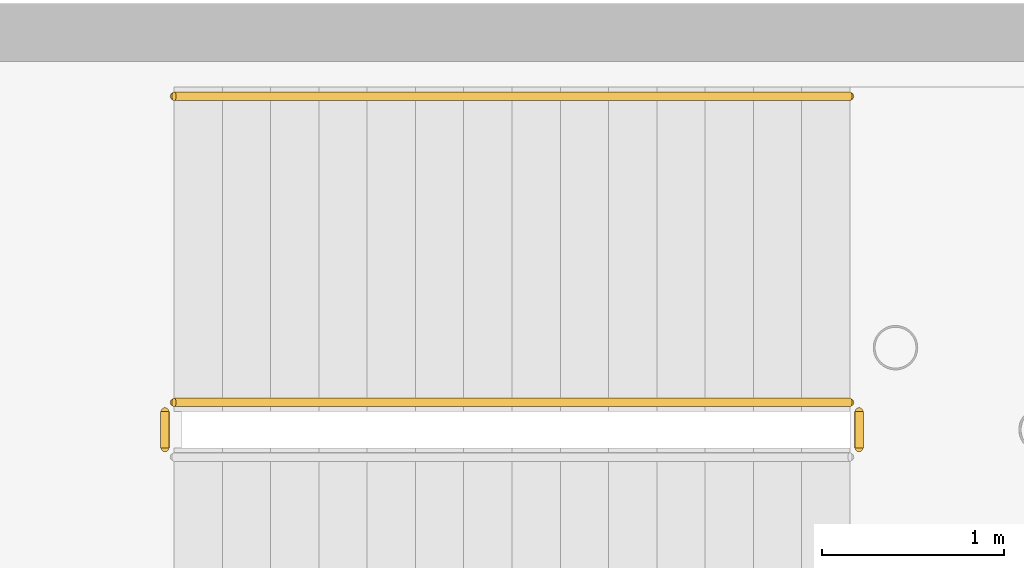
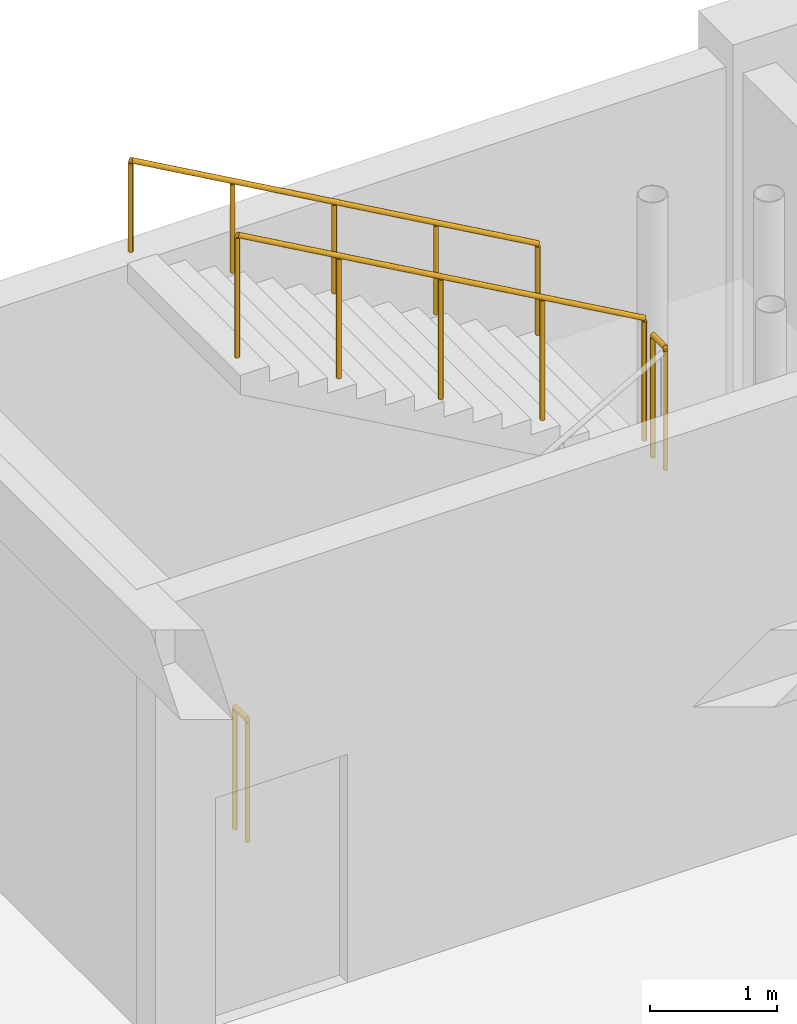
# One storey, part 153 of 160: 4 railings.
"""IFC4 building model written with IfcOpenShell, lengths in metres."""

from ifc_helpers import new_model, si_unit, direction, frame, origin, origin_2d, place, context, subcontext, project, spatial, circle, extrude, material, type_object, element, save


model = new_model("IFC4")

# Units and contexts
model_context = context("Model", 3, precision=1e-05, world=origin(), true_north=direction((0.0, 1.0)))
body_context = subcontext(model_context, "Body", "Model", "MODEL_VIEW")
ifc_project = project(units=[si_unit("LENGTHUNIT", "METRE"), si_unit("AREAUNIT", "SQUARE_METRE"), si_unit("VOLUMEUNIT", "CUBIC_METRE"), si_unit("PLANEANGLEUNIT", "RADIAN"), si_unit("MASSUNIT", "GRAM", prefix="KILO")], contexts=[model_context])

# Site, building, storey
site_placement = place(None, origin())
site = spatial("IfcSite", under=ifc_project, at=site_placement, CompositionType="ELEMENT")
building_placement = place(site_placement, origin())
building = spatial("IfcBuilding", under=site, at=building_placement, Name="Kharva Crest Polytechnic", CompositionType="ELEMENT")
storey_placement = place(building_placement, frame((0.0, 0.0, 4.5)))
storey = spatial("IfcBuildingStorey", under=building, at=storey_placement, Name="L01", CompositionType="ELEMENT", Elevation=4.5)

# Railings
ifc_material_1 = material(Name="Anodised aluminium", Category="aluminium")
railing_type_1 = type_object("IfcRailingType", Name="RL-STAIR-GUARD-1200", PredefinedType="GUARDRAIL", material=ifc_material_1)
railing_1_placement = place(storey_placement, frame((61.85009765625, 119.719970703125, 2.25)))
element("IfcRailing", 1, at=railing_1_placement, inside=storey, type_object=railing_type_1, Name="L01 ST-03 stair guard 2", PredefinedType="GUARDRAIL", context=body_context, shape_type="SweptSolid", body=[
    extrude(circle(Radius=0.02392578125, at=origin_2d()), frame((0.0, 0.0, 1.17578125), z_axis=(0.0, 1.0, 0.0), x_axis=(-1.0, 0.0, 0.0)), (0.0, 0.0, 1.0), 0.199951171875),
    extrude(circle(Radius=0.02099609375, at=origin_2d()), origin(), (0.0, 0.0, 1.0), 1.15185546875),
    extrude(circle(Radius=0.02099609375, at=origin_2d()), frame((0.0, 0.199951171875, 0.0)), (0.0, 0.0, 1.0), 1.15185546875),
])
railing_2_placement = place(storey_placement, frame((61.800048828125, 119.969970703125, 2.39990234375)))
element("IfcRailing", 2, at=railing_2_placement, inside=storey, type_object=railing_type_1, Name="L01 ST-03 stair guard 3", PredefinedType="GUARDRAIL", context=body_context, shape_type="SweptSolid", body=[
    extrude(circle(Radius=0.02392578125, at=origin_2d()), frame((0.0, 0.0, 1.17578125), z_axis=(-0.870244811389, 0.0, 0.492619496418), x_axis=(0.0, -1.0, 0.0)), (0.0, 0.0, 1.0), 4.26318359375),
    extrude(circle(Radius=0.02099609375, at=origin_2d()), origin(), (0.0, 0.0, 1.0), 1.15185546875),
    extrude(circle(Radius=0.02099609375, at=origin_2d()), frame((-0.927490234375, 0.0, 0.52490234375)), (0.0, 0.0, 1.0), 1.15185546875),
    extrude(circle(Radius=0.02099609375, at=origin_2d()), frame((-1.85498046875, 0.0, 1.050048828125)), (0.0, 0.0, 1.0), 1.15185546875),
    extrude(circle(Radius=0.02099609375, at=origin_2d()), frame((-2.782470703125, 0.0, 1.5751953125)), (0.0, 0.0, 1.0), 1.15185546875),
    extrude(circle(Radius=0.02099609375, at=origin_2d()), frame((-3.7099609375, 0.0, 2.10009765625)), (0.0, 0.0, 1.0), 1.15185546875),
])
railing_3_placement = place(storey_placement, frame((58.0400390625, 119.719970703125, 0.0)))
element("IfcRailing", 3, at=railing_3_placement, inside=storey, type_object=railing_type_1, Name="L01 ST-03 stair guard 4", PredefinedType="GUARDRAIL", context=body_context, shape_type="SweptSolid", body=[
    extrude(circle(Radius=0.02392578125, at=origin_2d()), frame((0.0, 0.0, 1.17578125), z_axis=(0.0, 1.0, 0.0), x_axis=(-1.0, 0.0, 0.0)), (0.0, 0.0, 1.0), 0.199951171875),
    extrude(circle(Radius=0.02099609375, at=origin_2d()), origin(), (0.0, 0.0, 1.0), 1.15185546875),
    extrude(circle(Radius=0.02099609375, at=origin_2d()), frame((0.0, 0.199951171875, 0.0)), (0.0, 0.0, 1.0), 1.15185546875),
])
ifc_material_2 = material(Name="Teak timber", Category="wood")
railing_type_2 = type_object("IfcRailingType", Name="RL-STAIR-HAND-900", PredefinedType="HANDRAIL", material=ifc_material_2)
railing_4_placement = place(storey_placement, frame((61.800048828125, 121.64990234375, 2.39990234375)))
element("IfcRailing", 4, at=railing_4_placement, inside=storey, type_object=railing_type_2, Name="L01 ST-03 stair handrail 2", PredefinedType="HANDRAIL", context=body_context, shape_type="SweptSolid", body=[
    extrude(circle(Radius=0.02392578125, at=origin_2d()), frame((0.0, 0.0, 0.8759765625), z_axis=(-0.870244811389, 0.0, 0.492619496418), x_axis=(0.0, -1.0, 0.0)), (0.0, 0.0, 1.0), 4.26318359375),
    extrude(circle(Radius=0.02099609375, at=origin_2d()), origin(), (0.0, 0.0, 1.0), 0.851806640625),
    extrude(circle(Radius=0.02099609375, at=origin_2d()), frame((-0.927490234375, 0.0, 0.52490234375)), (0.0, 0.0, 1.0), 0.851806640625),
    extrude(circle(Radius=0.02099609375, at=origin_2d()), frame((-1.85498046875, 0.0, 1.050048828125)), (0.0, 0.0, 1.0), 0.851806640625),
    extrude(circle(Radius=0.02099609375, at=origin_2d()), frame((-2.782470703125, 0.0, 1.5751953125)), (0.0, 0.0, 1.0), 0.851806640625),
    extrude(circle(Radius=0.02099609375, at=origin_2d()), frame((-3.7099609375, 0.0, 2.10009765625)), (0.0, 0.0, 1.0), 0.851806640625),
])

save(model, "model.ifc")
